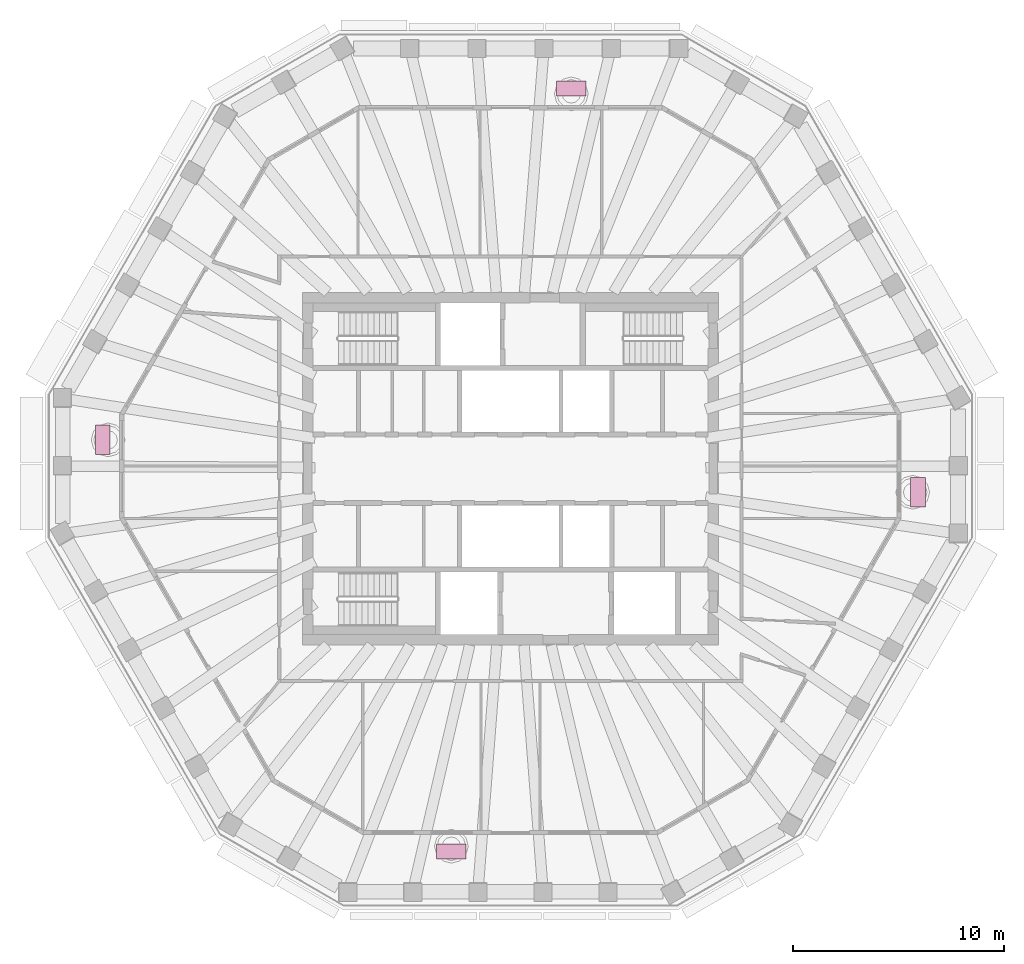
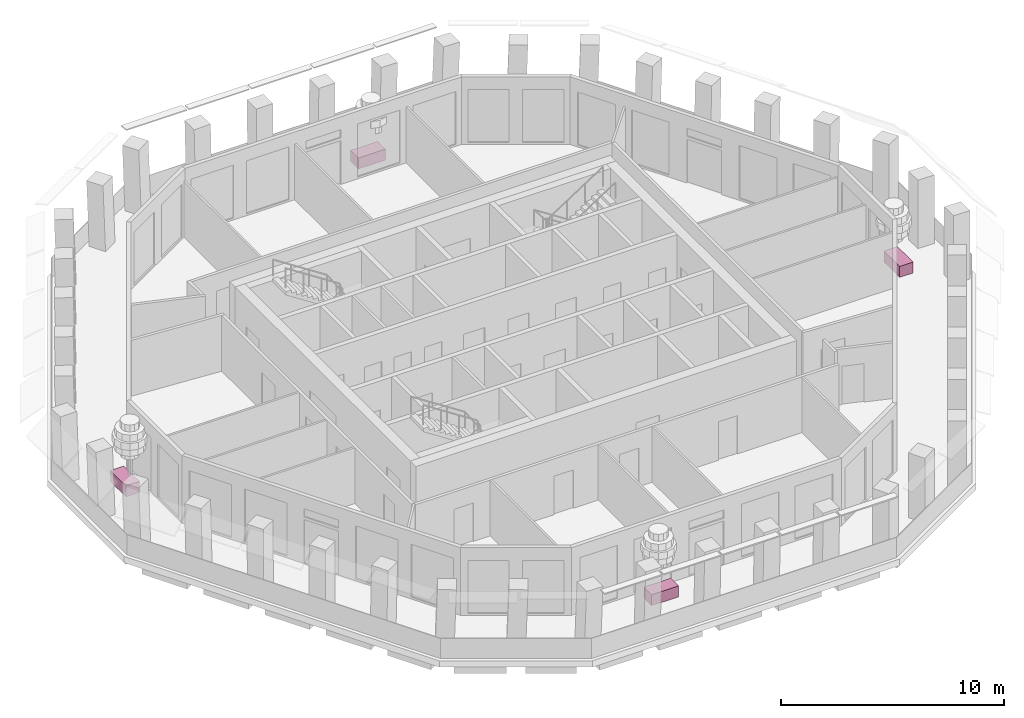
# One storey, part 10 of 11: 4 furniture elements.
"""IFC4 building model written with IfcOpenShell, lengths in metres."""

from ifc_helpers import new_model, si_unit, direction, frame, origin, origin_2d, place, context, subcontext, project, spatial, rectangle, extrude, material, type_object, element, save


model = new_model("IFC4")

# Units and contexts
model_context = context("Model", 3, precision=1e-05, world=origin(), true_north=direction((0.0, 1.0)))
body_context = subcontext(model_context, "Body", "Model", "MODEL_VIEW")
ifc_project = project(units=[si_unit("LENGTHUNIT", "METRE"), si_unit("AREAUNIT", "SQUARE_METRE"), si_unit("VOLUMEUNIT", "CUBIC_METRE"), si_unit("PLANEANGLEUNIT", "RADIAN"), si_unit("MASSUNIT", "GRAM", prefix="KILO")], contexts=[model_context])

# Site, building, storey
site_placement = place(None, origin())
site = spatial("IfcSite", under=ifc_project, at=site_placement, CompositionType="ELEMENT")
building_placement = place(site_placement, origin())
building = spatial("IfcBuilding", under=site, at=building_placement, Name="Frailejon Research Tower", CompositionType="ELEMENT")
storey_placement = place(building_placement, frame((0.0, 0.0, 312.60009765625)))
storey = spatial("IfcBuildingStorey", under=building, at=storey_placement, Name="L69", CompositionType="ELEMENT", Elevation=312.60009765625)

# Furniture
ifc_material = material(Name="Precast concrete C30/37 planter, terracotta", Category="masonry")
furniture_type = type_object("IfcFurnitureType", Name="Loggia planter 1400x700", AssemblyPlace="NOTDEFINED", PredefinedType="USERDEFINED", material=ifc_material)
for number, where, z_axis, x_axis, name in (
    (1, (19.300048828125, -1.115478515625, -0.000244140625), (0.0, 0.0, 1.0), (0.0, 1.0, 0.0), "Planter L69"),
    (2, (2.883544921875, 18.0, -0.000244140625), (0.0, 0.0, 1.0), (-1.0, 0.0, 0.0), "Planter L69"),
    (3, (-19.300048828125, 1.366943359375, -0.000244140625), (0.0, 0.0, 1.0), (0.0, -1.0, 0.0), "Planter L69"),
    (4, (-2.79638671875, -18.125732421875, -0.000244140625), (0.0, 0.0, 1.0), (1.0, 0.0, 0.0), "Planter L69"),
):
    element("IfcFurniture", number, at=place(storey_placement, frame(where, z_axis=z_axis, x_axis=x_axis)), inside=storey, type_object=furniture_type, Name=name, ObjectType="PLANTER", PredefinedType="USERDEFINED", context=body_context, shape_type="SweptSolid", body=[
        extrude(rectangle(XDim=1.39990234375, YDim=0.699951171875, at=origin_2d()), origin(), (0.0, 0.0, 1.0), 0.60009765625),
    ])

save(model, "model.ifc")
